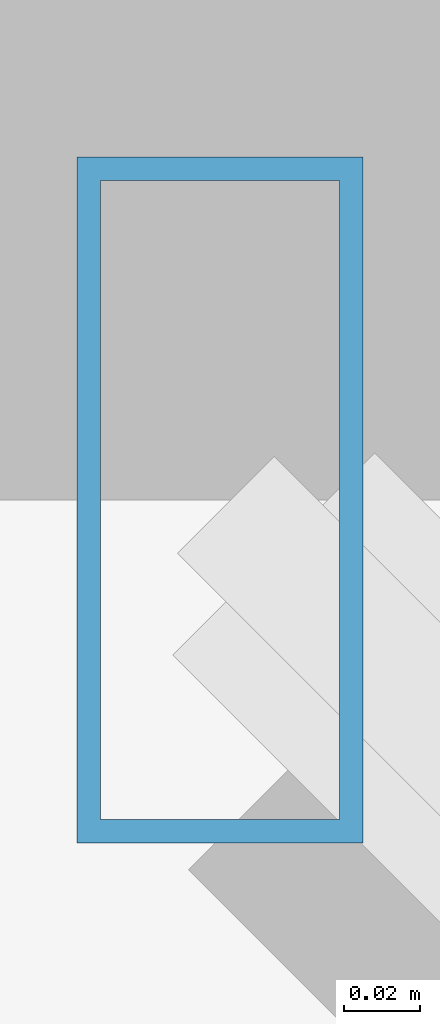
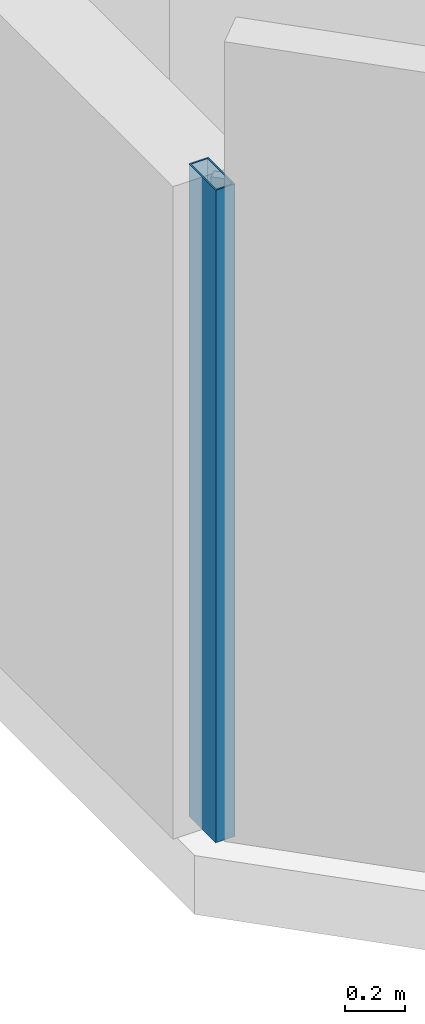
# One storey, part 8 of 35: 1 member, 1 element without a shape of its own.
"""IFC4 building model written with IfcOpenShell, lengths in metres."""

from ifc_helpers import new_model, si_unit, direction, frame, origin, origin_2d, place, context, subcontext, project, spatial, hollow_rectangle, extrude, material, material_profile, profile_set, type_object, element, aggregate, save


model = new_model("IFC4")

# Units and contexts
model_context = context("Model", 3, precision=1e-05, world=origin(), true_north=direction((0.0, 1.0)))
body_context = subcontext(model_context, "Body", "Model", "MODEL_VIEW")
ifc_project = project(units=[si_unit("LENGTHUNIT", "METRE"), si_unit("AREAUNIT", "SQUARE_METRE"), si_unit("VOLUMEUNIT", "CUBIC_METRE"), si_unit("PLANEANGLEUNIT", "RADIAN"), si_unit("MASSUNIT", "GRAM", prefix="KILO")], contexts=[model_context])

# Site, building, storey
site_placement = place(None, origin())
site = spatial("IfcSite", under=ifc_project, at=site_placement, CompositionType="ELEMENT")
building_placement = place(site_placement, origin())
building = spatial("IfcBuilding", under=site, at=building_placement, Name="Thornwick Lancets Civic Towers", CompositionType="ELEMENT")
storey_placement = place(building_placement, frame((0.0, 0.0, 276.300048828125)))
storey = spatial("IfcBuildingStorey", under=building, at=storey_placement, Name="L74", CompositionType="ELEMENT", Elevation=276.300048828125)

# Curtain wall, member
ifc_material_1 = material(Name="High-zone chamfered-corner unitised glass curtain wall", Category="glass")
curtain_wall_type = type_object("IfcCurtainWallType", Name="CW_SYS_05", PredefinedType="NOTDEFINED", material=ifc_material_1)
curtain_wall_placement = place(storey_placement, origin())
curtain_wall = element("IfcCurtainWall", 1, at=curtain_wall_placement, inside=storey, type_object=curtain_wall_type, Name="L74 Curtain Wall CW-L74-B-E7", PredefinedType="NOTDEFINED")
ifc_material_2 = material(Name="Thermally broken bronze aluminium S355", Category="steel")
ifc_material_profile = material_profile(ifc_material_2, hollow_rectangle(XDim=0.074951171875, YDim=0.179931640625, WallThickness=0.006103515625, at=origin_2d()), Name="RHS 180x75x6")
ifc_profile_set = profile_set([ifc_material_profile], Name="Thermally broken bronze aluminium S355")
member_type = type_object("IfcMemberType", Name="CW_MUL_180", PredefinedType="MULLION", material=ifc_profile_set)
member_placement = place(storey_placement, frame((70.7353515625, 11.818603515625, 0.0), z_axis=(0.0, 0.0, 1.0), x_axis=(1.0, 0.0, 0.0)))
member = element("IfcMember", 2, at=member_placement, type_object=member_type, Name="CW-L74-B-E7 Mullion 0", PredefinedType="MULLION", context=body_context, shape_type="SweptSolid", body=[
    extrude(hollow_rectangle(XDim=0.074951171875, YDim=0.179931640625, WallThickness=0.006103515625, at=origin_2d()), origin(), (0.0, 0.0, 1.0), 2.659912109375),
])
aggregate(curtain_wall, [member])

save(model, "model.ifc")
